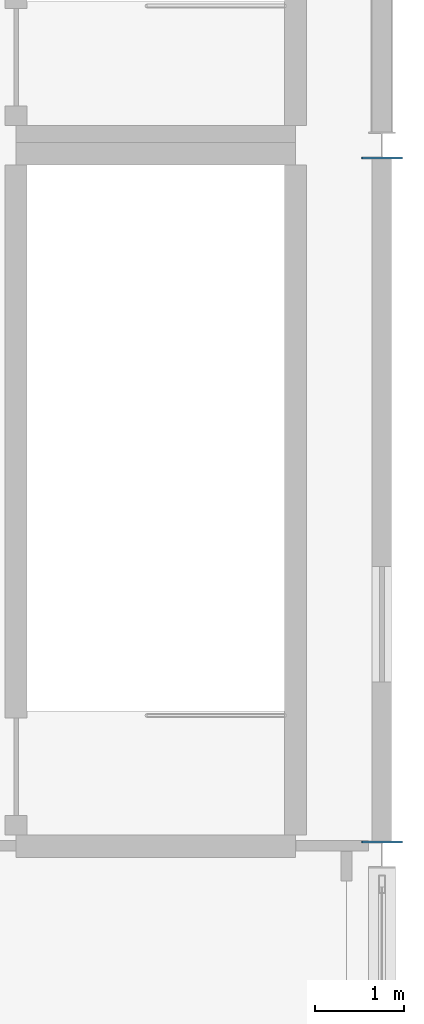
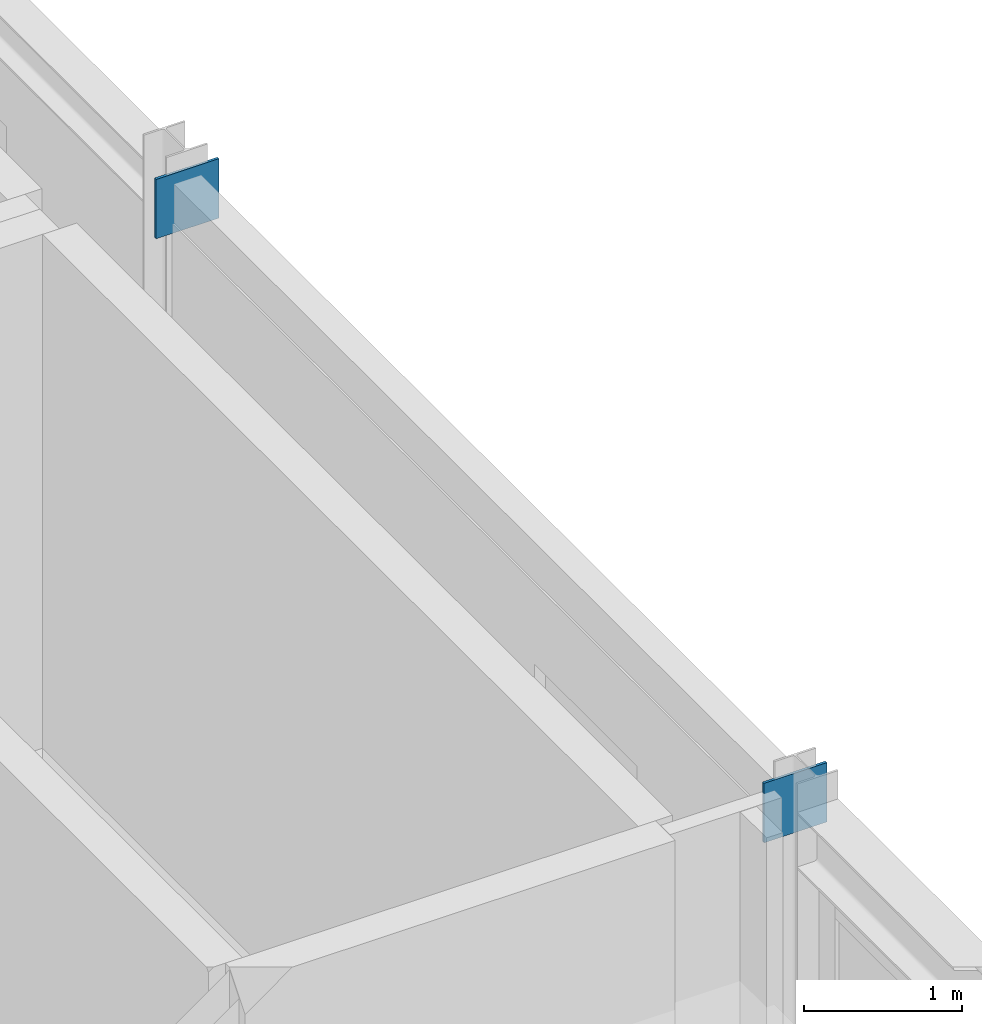
# One storey, part 22 of 27: 2 plates.
"""IFC4 building model written with IfcOpenShell, lengths in metres."""

from ifc_helpers import new_model, si_unit, direction, frame, origin, origin_2d, place, context, subcontext, project, spatial, rectangle, extrude, material, material_profile, profile_set, type_object, element, save


model = new_model("IFC4")

# Units and contexts
model_context = context("Model", 3, precision=1e-05, world=origin(), true_north=direction((0.0, 1.0)))
body_context = subcontext(model_context, "Body", "Model", "MODEL_VIEW")
ifc_project = project(units=[si_unit("LENGTHUNIT", "METRE"), si_unit("AREAUNIT", "SQUARE_METRE"), si_unit("VOLUMEUNIT", "CUBIC_METRE"), si_unit("PLANEANGLEUNIT", "RADIAN"), si_unit("MASSUNIT", "GRAM", prefix="KILO"), si_unit("THERMODYNAMICTEMPERATUREUNIT", "KELVIN"), si_unit("POWERUNIT", "WATT")], contexts=[model_context])

# Site, building, storey
site_placement = place(None, origin())
site = spatial("IfcSite", under=ifc_project, at=site_placement, CompositionType="ELEMENT")
building_placement = place(site_placement, origin())
building = spatial("IfcBuilding", under=site, at=building_placement, Name="Zhenchuan Central Fire Station", CompositionType="ELEMENT")
storey_placement = place(building_placement, frame((0.0, 0.0, 14.25)))
storey = spatial("IfcBuildingStorey", under=building, at=storey_placement, Name="L04", CompositionType="ELEMENT", Elevation=14.25)

# Plates
ifc_material = material(Name="Steel Q355B", Category="steel")
ifc_material_profile = material_profile(ifc_material, rectangle(XDim=0.4599609375, YDim=0.4599609375, at=origin_2d()), Name="PL 460x460x28")
ifc_profile_set = profile_set([ifc_material_profile], Name="Steel Q355B")
plate_type = type_object("IfcPlateType", Name="PL-GUS28", PredefinedType="SHEET", material=ifc_profile_set)
for number, where, z_axis, x_axis, name in (
    (1, (161.0, 6.634033203125, 3.830078125), (0.0, 1.0, 0.0), (-1.0, 0.0, 0.0), "L05 Girder NS 0481 end cap plate A"),
    (2, (161.0, 14.345947265625, 3.830078125), (0.0, 1.0, 0.0), (-1.0, 0.0, 0.0), "L05 Girder NS 0481 end cap plate B"),
):
    element("IfcPlate", number, at=place(storey_placement, frame(where, z_axis=z_axis, x_axis=x_axis)), inside=storey, type_object=plate_type, Name=name, PredefinedType="SHEET", context=body_context, shape_type="SweptSolid", body=[
        extrude(rectangle(XDim=0.4599609375, YDim=0.4599609375, at=origin_2d()), origin(), (0.0, 0.0, 1.0), 0.02001953125),
    ])

save(model, "model.ifc")
